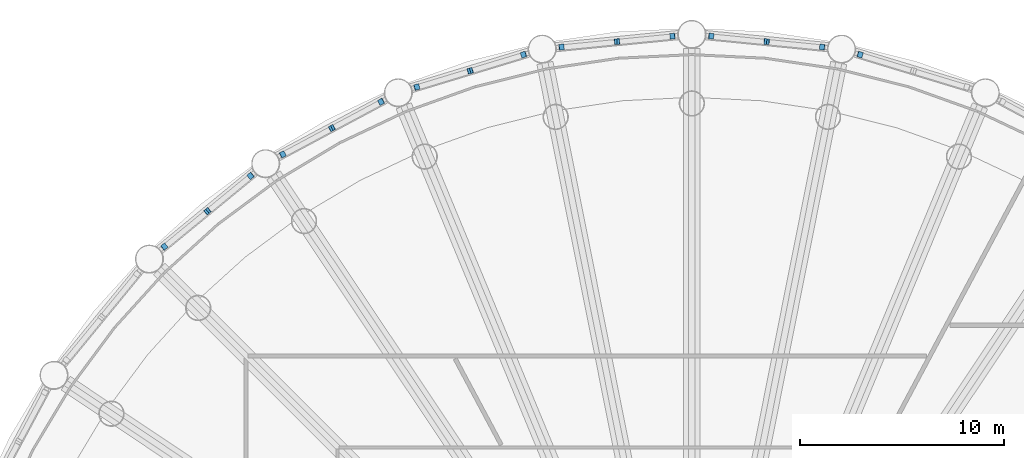
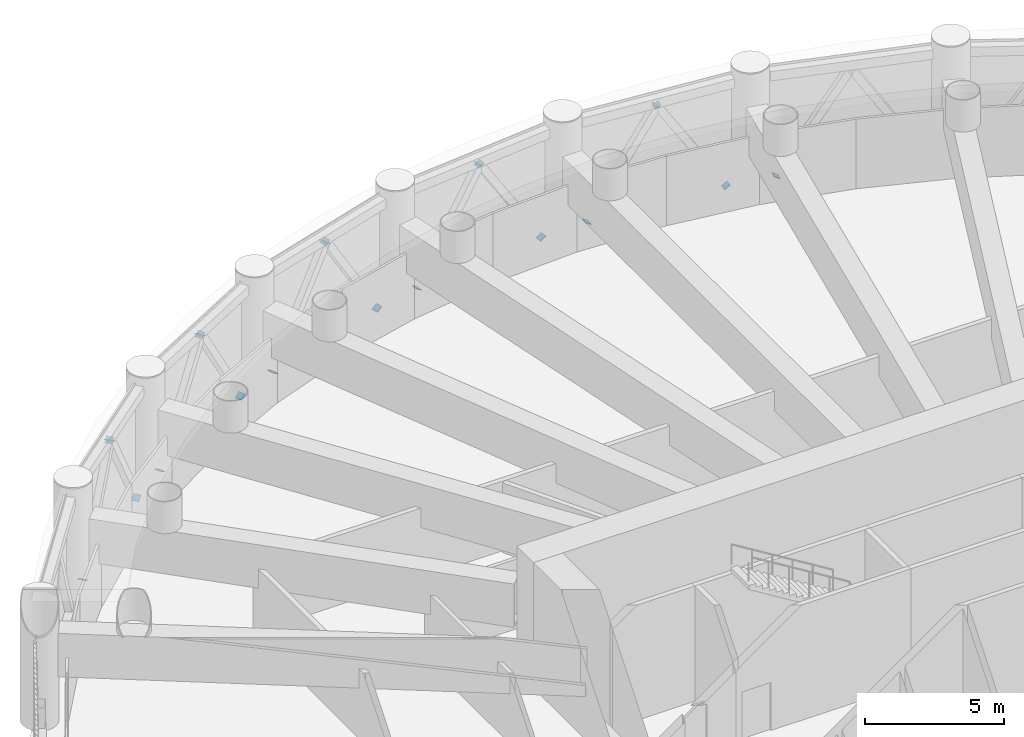
# One storey, part 17 of 26: 21 discrete accessories.
"""IFC4 building model written with IfcOpenShell, lengths in metres."""

from ifc_helpers import new_model, si_unit, direction, frame, origin, origin_2d, place, context, subcontext, project, spatial, rectangle, extrude, material, material_profile, profile_set, type_object, element, save


model = new_model("IFC4")

# Units and contexts
model_context = context("Model", 3, precision=1e-05, world=origin(), true_north=direction((0.0, 1.0)))
body_context = subcontext(model_context, "Body", "Model", "MODEL_VIEW")
ifc_project = project(units=[si_unit("LENGTHUNIT", "METRE"), si_unit("AREAUNIT", "SQUARE_METRE"), si_unit("VOLUMEUNIT", "CUBIC_METRE"), si_unit("PLANEANGLEUNIT", "RADIAN"), si_unit("MASSUNIT", "GRAM", prefix="KILO")], contexts=[model_context])

# Site, building, storey
site_placement = place(None, origin())
site = spatial("IfcSite", under=ifc_project, at=site_placement, CompositionType="ELEMENT")
building_placement = place(site_placement, origin())
building = spatial("IfcBuilding", under=site, at=building_placement, Name="Corvane Civic Tower", CompositionType="ELEMENT")
storey_placement = place(building_placement, frame((0.0, 0.0, 85.0)))
storey = spatial("IfcBuildingStorey", under=building, at=storey_placement, Name="L19", CompositionType="ELEMENT", Elevation=85.0)

# Discrete accessories
ifc_material = material(Name="Steel ASTM A572 Gr 50", Category="steel")
ifc_material_profile = material_profile(ifc_material, rectangle(XDim=0.2802734375, YDim=0.2802734375, at=origin_2d()), Name="GUSSET PLATE 25 IN HSS12X12X1/2")
ifc_profile_set = profile_set([ifc_material_profile], Name="Steel ASTM A572 Gr 50")
discrete_accessory_type = type_object("IfcDiscreteAccessoryType", Name="GUSSET PLATE 25 IN HSS12X12X1/2", PredefinedType="BRACKET", material=ifc_profile_set)
discrete_accessory_1_placement = place(storey_placement, frame((0.9453125, 37.60693359375, 0.406494140625), z_axis=(0.537847476703, -0.058674270186, 0.840997872662), x_axis=(0.108447510175, 0.994102176608, 0.0)))
element("IfcDiscreteAccessory", 1, at=discrete_accessory_1_placement, inside=storey, type_object=discrete_accessory_type, Name="Gusset plate BD1 end A", PredefinedType="BRACKET", context=body_context, shape_type="SweptSolid", body=[
    extrude(rectangle(XDim=0.2802734375, YDim=0.2802734375, at=origin_2d()), origin(), (0.0, 0.0, 1.0), 0.02490234375),
])
discrete_accessory_2_placement = place(storey_placement, frame((3.677490234375, 37.337890625, 4.74365234375), z_axis=(-0.533729096341, 0.04852082694, -0.844262388758), x_axis=(-0.090535746043, -0.995893206468, 0.0)))
element("IfcDiscreteAccessory", 2, at=discrete_accessory_2_placement, inside=storey, type_object=discrete_accessory_type, Name="Gusset plate BD1 end B", PredefinedType="BRACKET", context=body_context, shape_type="SweptSolid", body=[
    extrude(rectangle(XDim=0.2802734375, YDim=0.2802734375, at=origin_2d()), origin(), (0.0, 0.0, 1.0), 0.025146484375),
])
discrete_accessory_3_placement = place(storey_placement, frame((6.40966796875, 37.068603515625, 0.406494140625), z_axis=(-0.537847476703, 0.058674270186, 0.840997872662), x_axis=(-0.108447510175, -0.994102176608, 0.0)))
element("IfcDiscreteAccessory", 3, at=discrete_accessory_3_placement, inside=storey, type_object=discrete_accessory_type, Name="Gusset plate BD1 end A", PredefinedType="BRACKET", context=body_context, shape_type="SweptSolid", body=[
    extrude(rectangle(XDim=0.2802734375, YDim=0.2802734375, at=origin_2d()), origin(), (0.0, 0.0, 1.0), 0.02490234375),
])
discrete_accessory_4_placement = place(storey_placement, frame((3.677490234375, 37.337890625, 4.74365234375), z_axis=(0.533452871521, -0.058194858711, -0.843825451314), x_axis=(0.108447510175, 0.994102176608, 0.0)))
element("IfcDiscreteAccessory", 4, at=discrete_accessory_4_placement, inside=storey, type_object=discrete_accessory_type, Name="Gusset plate BD1 end B", PredefinedType="BRACKET", context=body_context, shape_type="SweptSolid", body=[
    extrude(rectangle(XDim=0.2802734375, YDim=0.2802734375, at=origin_2d()), origin(), (0.0, 0.0, 1.0), 0.025146484375),
])
for number, where, z_axis, x_axis, name in (
    (5, (8.26416015625, 36.699951171875, 0.406494140625), (0.510984024818, -0.15722585379, 0.845088964122), (0.294085848838, 0.955779008722, 0.0), "Gusset plate BD1 end A"),
    (6, (-25.923583984375, 27.2607421875, 0.406494140625), (0.413517243021, 0.334752053874, 0.846725783328), (-0.629198228668, 0.777244870707, 0.0), "Gusset plate BD1 end A"),
):
    element("IfcDiscreteAccessory", number, at=place(storey_placement, frame(where, z_axis=z_axis, x_axis=x_axis)), inside=storey, type_object=discrete_accessory_type, Name=name, PredefinedType="BRACKET", context=body_context, shape_type="SweptSolid", body=[
        extrude(rectangle(XDim=0.2802734375, YDim=0.2802734375, at=origin_2d()), origin(), (0.0, 0.0, 1.0), 0.02490234375),
    ])
discrete_accessory_5_placement = place(storey_placement, frame((-23.801513671875, 29.002197265625, 4.74365234375), z_axis=(-0.408750654966, -0.340625545805, -0.846697785287), x_axis=(0.640184399664, -0.768221279597, 0.0)))
element("IfcDiscreteAccessory", 7, at=discrete_accessory_5_placement, inside=storey, type_object=discrete_accessory_type, Name="Gusset plate BD1 end B", PredefinedType="BRACKET", context=body_context, shape_type="SweptSolid", body=[
    extrude(rectangle(XDim=0.2802734375, YDim=0.2802734375, at=origin_2d()), origin(), (0.0, 0.0, 1.0), 0.025146484375),
])
discrete_accessory_6_placement = place(storey_placement, frame((-21.679443359375, 30.74365234375, 0.406494140625), z_axis=(-0.413517243021, -0.334752053874, 0.846725783328), x_axis=(0.629198228668, -0.777244870707, 0.0)))
element("IfcDiscreteAccessory", 8, at=discrete_accessory_6_placement, inside=storey, type_object=discrete_accessory_type, Name="Gusset plate BD1 end A", PredefinedType="BRACKET", context=body_context, shape_type="SweptSolid", body=[
    extrude(rectangle(XDim=0.2802734375, YDim=0.2802734375, at=origin_2d()), origin(), (0.0, 0.0, 1.0), 0.02490234375),
])
discrete_accessory_7_placement = place(storey_placement, frame((-23.801513671875, 29.002197265625, 4.74365234375), z_axis=(0.408750654966, 0.340625545805, -0.846697785287), x_axis=(-0.640184399664, 0.768221279597, 0.0)))
element("IfcDiscreteAccessory", 9, at=discrete_accessory_7_placement, inside=storey, type_object=discrete_accessory_type, Name="Gusset plate BD1 end B", PredefinedType="BRACKET", context=body_context, shape_type="SweptSolid", body=[
    extrude(rectangle(XDim=0.2802734375, YDim=0.2802734375, at=origin_2d()), origin(), (0.0, 0.0, 1.0), 0.025146484375),
])
discrete_accessory_8_placement = place(storey_placement, frame((-20.107177734375, 31.794189453125, 0.406494140625), z_axis=(0.471222756944, 0.255245660011, 0.844274106191), x_axis=(-0.476283148541, 0.879291966537, 0.0)))
element("IfcDiscreteAccessory", 10, at=discrete_accessory_8_placement, inside=storey, type_object=discrete_accessory_type, Name="Gusset plate BD1 end A", PredefinedType="BRACKET", context=body_context, shape_type="SweptSolid", body=[
    extrude(rectangle(XDim=0.2802734375, YDim=0.2802734375, at=origin_2d()), origin(), (0.0, 0.0, 1.0), 0.02490234375),
])
discrete_accessory_9_placement = place(storey_placement, frame((-17.686279296875, 33.08837890625, 4.74365234375), z_axis=(-0.467342837645, -0.253144037058, -0.847058893232), x_axis=(0.476283148541, -0.879291966537, 0.0)))
element("IfcDiscreteAccessory", 11, at=discrete_accessory_9_placement, inside=storey, type_object=discrete_accessory_type, Name="Gusset plate BD1 end B", PredefinedType="BRACKET", context=body_context, shape_type="SweptSolid", body=[
    extrude(rectangle(XDim=0.2802734375, YDim=0.2802734375, at=origin_2d()), origin(), (0.0, 0.0, 1.0), 0.025146484375),
])
discrete_accessory_10_placement = place(storey_placement, frame((-15.26513671875, 34.382568359375, 0.406494140625), z_axis=(-0.471222756944, -0.255245660011, 0.844274106191), x_axis=(0.476283148541, -0.879291966537, 0.0)))
element("IfcDiscreteAccessory", 12, at=discrete_accessory_10_placement, inside=storey, type_object=discrete_accessory_type, Name="Gusset plate BD1 end A", PredefinedType="BRACKET", context=body_context, shape_type="SweptSolid", body=[
    extrude(rectangle(XDim=0.2802734375, YDim=0.2802734375, at=origin_2d()), origin(), (0.0, 0.0, 1.0), 0.02490234375),
])
discrete_accessory_11_placement = place(storey_placement, frame((-17.686279296875, 33.08837890625, 4.74365234375), z_axis=(0.474900743063, 0.25198814938, -0.843191115234), x_axis=(-0.468715806899, 0.883349020695, 0.0)))
element("IfcDiscreteAccessory", 13, at=discrete_accessory_11_placement, inside=storey, type_object=discrete_accessory_type, Name="Gusset plate BD1 end B", PredefinedType="BRACKET", context=body_context, shape_type="SweptSolid", body=[
    extrude(rectangle(XDim=0.2802734375, YDim=0.2802734375, at=origin_2d()), origin(), (0.0, 0.0, 1.0), 0.025146484375),
])
for number, where, z_axis, x_axis, name in (
    (14, (-13.51806640625, 35.106201171875, 0.406494140625), (0.511750544557, 0.147620349392, 0.846356669845), (-0.277160651302, 0.960823591181, 0.0), "Gusset plate BD1 end A"),
    (15, (-10.89111328125, 35.90283203125, 4.74365234375), (-0.507516375128, -0.146398954364, -0.84911393531), (0.277160651302, -0.960823591181, 0.0), "Gusset plate BD1 end B"),
    (16, (-8.26416015625, 36.699951171875, 0.406494140625), (-0.510984024818, -0.15722585379, 0.845088964122), (0.294085848838, -0.955779008722, 0.0), "Gusset plate BD1 end A"),
):
    element("IfcDiscreteAccessory", number, at=place(storey_placement, frame(where, z_axis=z_axis, x_axis=x_axis)), inside=storey, type_object=discrete_accessory_type, Name=name, PredefinedType="BRACKET", context=body_context, shape_type="SweptSolid", body=[
        extrude(rectangle(XDim=0.2802734375, YDim=0.2802734375, at=origin_2d()), origin(), (0.0, 0.0, 1.0), 0.02490234375),
    ])
discrete_accessory_12_placement = place(storey_placement, frame((-10.89111328125, 35.90283203125, 4.74365234375), z_axis=(0.50676869704, 0.155928829858, -0.847863012355), x_axis=(-0.294085848838, 0.955779008722, 0.0)))
element("IfcDiscreteAccessory", 17, at=discrete_accessory_12_placement, inside=storey, type_object=discrete_accessory_type, Name="Gusset plate BD1 end B", PredefinedType="BRACKET", context=body_context, shape_type="SweptSolid", body=[
    extrude(rectangle(XDim=0.2802734375, YDim=0.2802734375, at=origin_2d()), origin(), (0.0, 0.0, 1.0), 0.025146484375),
])
discrete_accessory_13_placement = place(storey_placement, frame((-6.40966796875, 37.068603515625, 0.406494140625), z_axis=(0.537847476703, 0.058674270186, 0.840997872662), x_axis=(-0.108447510175, 0.994102176608, 0.0)))
element("IfcDiscreteAccessory", 18, at=discrete_accessory_13_placement, inside=storey, type_object=discrete_accessory_type, Name="Gusset plate BD1 end A", PredefinedType="BRACKET", context=body_context, shape_type="SweptSolid", body=[
    extrude(rectangle(XDim=0.2802734375, YDim=0.2802734375, at=origin_2d()), origin(), (0.0, 0.0, 1.0), 0.02490234375),
])
discrete_accessory_14_placement = place(storey_placement, frame((-3.677490234375, 37.337890625, 4.74365234375), z_axis=(-0.533452871521, -0.058194858711, -0.843825451314), x_axis=(0.108447510175, -0.994102176608, 0.0)))
element("IfcDiscreteAccessory", 19, at=discrete_accessory_14_placement, inside=storey, type_object=discrete_accessory_type, Name="Gusset plate BD1 end B", PredefinedType="BRACKET", context=body_context, shape_type="SweptSolid", body=[
    extrude(rectangle(XDim=0.2802734375, YDim=0.2802734375, at=origin_2d()), origin(), (0.0, 0.0, 1.0), 0.025146484375),
])
discrete_accessory_15_placement = place(storey_placement, frame((-0.9453125, 37.60693359375, 0.406494140625), z_axis=(-0.537847476703, -0.058674270186, 0.840997872662), x_axis=(0.108447510175, -0.994102176608, 0.0)))
element("IfcDiscreteAccessory", 20, at=discrete_accessory_15_placement, inside=storey, type_object=discrete_accessory_type, Name="Gusset plate BD1 end A", PredefinedType="BRACKET", context=body_context, shape_type="SweptSolid", body=[
    extrude(rectangle(XDim=0.2802734375, YDim=0.2802734375, at=origin_2d()), origin(), (0.0, 0.0, 1.0), 0.02490234375),
])
discrete_accessory_16_placement = place(storey_placement, frame((-3.677490234375, 37.337890625, 4.74365234375), z_axis=(0.533729096341, 0.04852082694, -0.844262388758), x_axis=(-0.090535746043, 0.995893206468, 0.0)))
element("IfcDiscreteAccessory", 21, at=discrete_accessory_16_placement, inside=storey, type_object=discrete_accessory_type, Name="Gusset plate BD1 end B", PredefinedType="BRACKET", context=body_context, shape_type="SweptSolid", body=[
    extrude(rectangle(XDim=0.2802734375, YDim=0.2802734375, at=origin_2d()), origin(), (0.0, 0.0, 1.0), 0.025146484375),
])

save(model, "model.ifc")
